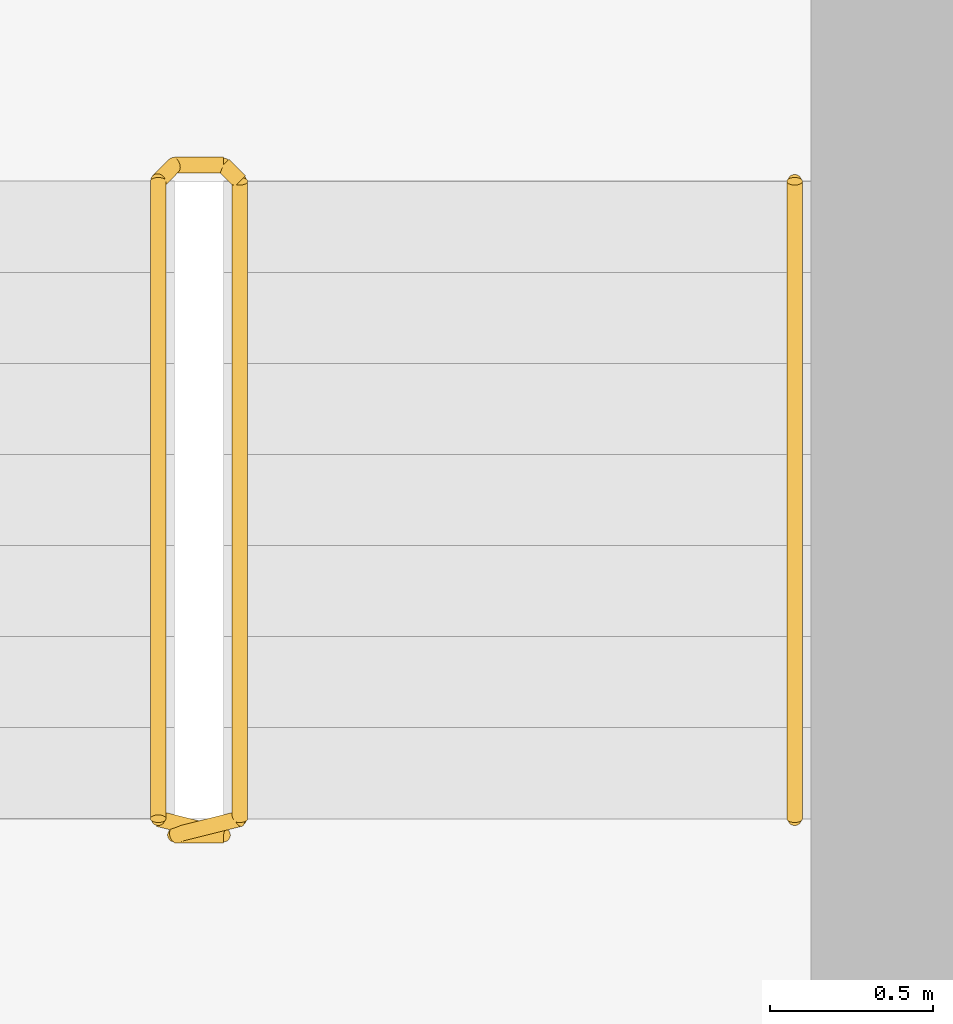
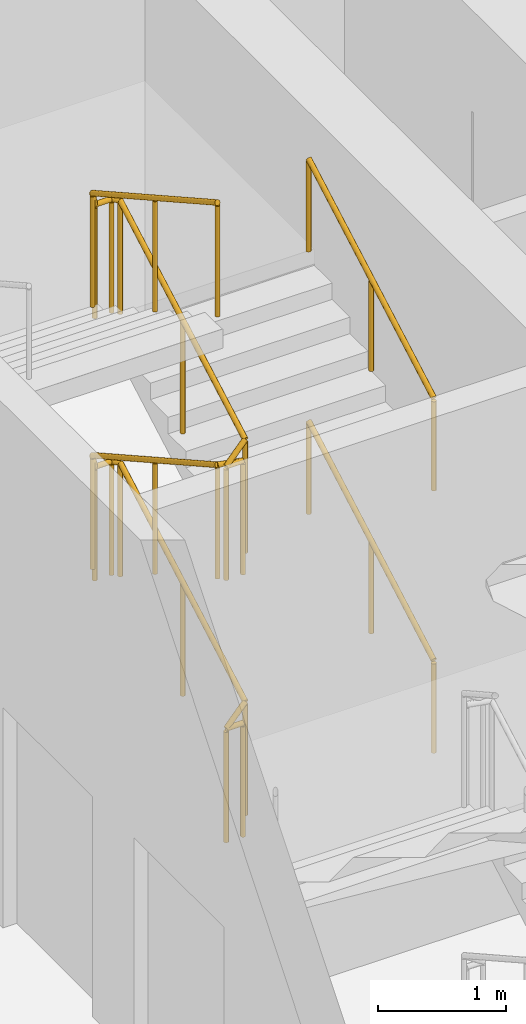
# One storey, part 23 of 23: 3 railings.
"""IFC4 building model written with IfcOpenShell, lengths in metres."""

from ifc_helpers import new_model, si_unit, direction, frame, origin, origin_2d, place, context, subcontext, project, spatial, circle, extrude, material, type_object, element, save


model = new_model("IFC4")

# Units and contexts
model_context = context("Model", 3, precision=1e-05, world=origin(), true_north=direction((0.0, 1.0)))
body_context = subcontext(model_context, "Body", "Model", "MODEL_VIEW")
ifc_project = project(units=[si_unit("LENGTHUNIT", "METRE"), si_unit("AREAUNIT", "SQUARE_METRE"), si_unit("VOLUMEUNIT", "CUBIC_METRE"), si_unit("PLANEANGLEUNIT", "RADIAN"), si_unit("MASSUNIT", "GRAM", prefix="KILO")], contexts=[model_context])

# Site, building, storey
site_placement = place(None, origin())
site = spatial("IfcSite", under=ifc_project, at=site_placement, CompositionType="ELEMENT")
building_placement = place(site_placement, origin())
building = spatial("IfcBuilding", under=site, at=building_placement, Name="Calabash Gate Tower", CompositionType="ELEMENT")
storey_placement = place(building_placement, frame((0.0, 0.0, 243.199951171875)))
storey = spatial("IfcBuildingStorey", under=building, at=storey_placement, Name="L58", CompositionType="ELEMENT", Elevation=243.199951171875)

# Railings
ifc_material_1 = material(Name="Black powder-coated steel balusters", Category="steel")
railing_type_1 = type_object("IfcRailingType", Name="Stair guard RL1100", PredefinedType="GUARDRAIL", material=ifc_material_1)
railing_placement = place(storey_placement, frame((10.300048828125, 13.902587890625, 0.0)))
element("IfcRailing", 1, at=railing_placement, inside=storey, type_object=railing_type_1, Name="L58 ST3 stair guard 1", PredefinedType="GUARDRAIL", context=body_context, shape_type="SweptSolid", body=[
    extrude(circle(Radius=0.02392578125, at=origin_2d()), frame((0.0, 0.0, 1.076171875), z_axis=(-1.0, 0.0, 0.0), x_axis=(0.0, -1.0, 0.0)), (0.0, 0.0, 1.0), 0.150146484375),
    extrude(circle(Radius=0.02392578125, at=origin_2d()), frame((-0.150146484375, 0.0, 1.076171875), z_axis=(0.773438643492, 0.193359660873, 0.603659429067), x_axis=(-0.242535625036, 0.970142500145, 0.0)), (0.0, 0.0, 1.0), 0.2587890625),
    extrude(circle(Radius=0.02392578125, at=origin_2d()), frame((0.050048828125, 0.050048828125, 1.232421875), z_axis=(0.0, 0.872479975208, 0.48864986735), x_axis=(-1.0, 0.0, 0.0)), (0.0, 0.0, 1.0), 2.23828125),
    extrude(circle(Radius=0.02392578125, at=origin_2d()), frame((0.050048828125, 2.0029296875, 2.326171875), z_axis=(-0.707106781187, 0.707106781187, 0.0), x_axis=(-0.707106781187, -0.707106781187, 0.0)), (0.0, 0.0, 1.0), 0.07080078125),
    extrude(circle(Radius=0.02392578125, at=origin_2d()), frame((0.0, 2.052978515625, 2.326171875), z_axis=(-1.0, 0.0, 0.0), x_axis=(0.0, -1.0, 0.0)), (0.0, 0.0, 1.0), 0.150146484375),
    extrude(circle(Radius=0.02392578125, at=origin_2d()), frame((-0.150146484375, 2.052978515625, 2.326171875), z_axis=(-0.290469530425, -0.291893400672, 0.911276958196), x_axis=(0.708833529934, -0.705375805398, 0.0)), (0.0, 0.0, 1.0), 0.17138671875),
    extrude(circle(Radius=0.02392578125, at=origin_2d()), frame((-0.199951171875, 2.0029296875, 2.482421875), z_axis=(0.0, -0.872479975208, 0.48864986735), x_axis=(1.0, 0.0, 0.0)), (0.0, 0.0, 1.0), 2.23828125),
    extrude(circle(Radius=0.02392578125, at=origin_2d()), frame((-0.199951171875, 0.050048828125, 3.576171875), z_axis=(0.970072785993, -0.242814311512, 0.0), x_axis=(0.242814311512, 0.970072785993, 0.0)), (0.0, 0.0, 1.0), 0.2060546875),
    extrude(circle(Radius=0.02392578125, at=origin_2d()), frame((0.0, 0.0, 3.576171875), z_axis=(-1.0, 0.0, 0.0), x_axis=(0.0, -1.0, 0.0)), (0.0, 0.0, 1.0), 0.150146484375),
    extrude(circle(Radius=0.02392578125, at=origin_2d()), frame((-0.150146484375, 0.0, 3.576171875), z_axis=(0.773438643492, 0.193359660873, 0.603659429067), x_axis=(-0.242535625036, 0.970142500145, 0.0)), (0.0, 0.0, 1.0), 0.2587890625),
    extrude(circle(Radius=0.02392578125, at=origin_2d()), frame((0.050048828125, 0.050048828125, 3.732421875), z_axis=(0.0, 0.872479975208, 0.48864986735), x_axis=(-1.0, 0.0, 0.0)), (0.0, 0.0, 1.0), 2.23828125),
    extrude(circle(Radius=0.02392578125, at=origin_2d()), frame((0.050048828125, 2.0029296875, 4.826171875), z_axis=(-0.707106781187, 0.707106781187, 0.0), x_axis=(-0.707106781187, -0.707106781187, 0.0)), (0.0, 0.0, 1.0), 0.07080078125),
    extrude(circle(Radius=0.02392578125, at=origin_2d()), frame((0.0, 2.052978515625, 4.826171875), z_axis=(-1.0, 0.0, 0.0), x_axis=(0.0, -1.0, 0.0)), (0.0, 0.0, 1.0), 0.150146484375),
    extrude(circle(Radius=0.02392578125, at=origin_2d()), frame((-0.150146484375, 2.052978515625, 4.826171875), z_axis=(-0.290469530425, -0.291893400672, 0.911276958196), x_axis=(0.708833529934, -0.705375805398, 0.0)), (0.0, 0.0, 1.0), 0.17138671875),
    extrude(circle(Radius=0.02392578125, at=origin_2d()), frame((-0.199951171875, 2.0029296875, 4.982421875), z_axis=(0.0, -0.872479975208, 0.48864986735), x_axis=(1.0, 0.0, 0.0)), (0.0, 0.0, 1.0), 2.23828125),
    extrude(circle(Radius=0.02099609375, at=origin_2d()), origin(), (0.0, 0.0, 1.0), 1.052001953125),
    extrude(circle(Radius=0.02099609375, at=origin_2d()), frame((-0.150146484375, 0.0, 0.0)), (0.0, 0.0, 1.0), 1.052001953125),
    extrude(circle(Radius=0.02099609375, at=origin_2d()), frame((0.050048828125, 0.050048828125, 0.15625)), (0.0, 0.0, 1.0), 1.052001953125),
    extrude(circle(Radius=0.02099609375, at=origin_2d()), frame((0.050048828125, 1.0263671875, 0.703125)), (0.0, 0.0, 1.0), 1.052001953125),
    extrude(circle(Radius=0.02099609375, at=origin_2d()), frame((0.050048828125, 2.0029296875, 1.25)), (0.0, 0.0, 1.0), 1.052001953125),
    extrude(circle(Radius=0.02099609375, at=origin_2d()), frame((0.0, 2.052978515625, 1.25)), (0.0, 0.0, 1.0), 1.052001953125),
    extrude(circle(Radius=0.02099609375, at=origin_2d()), frame((-0.150146484375, 2.052978515625, 1.25)), (0.0, 0.0, 1.0), 1.052001953125),
    extrude(circle(Radius=0.02099609375, at=origin_2d()), frame((-0.199951171875, 2.0029296875, 1.40625)), (0.0, 0.0, 1.0), 1.052001953125),
    extrude(circle(Radius=0.02099609375, at=origin_2d()), frame((-0.199951171875, 1.0263671875, 1.953125)), (0.0, 0.0, 1.0), 1.052001953125),
    extrude(circle(Radius=0.02099609375, at=origin_2d()), frame((-0.199951171875, 0.050048828125, 2.5)), (0.0, 0.0, 1.0), 1.052001953125),
    extrude(circle(Radius=0.02099609375, at=origin_2d()), frame((0.0, 0.0, 2.5)), (0.0, 0.0, 1.0), 1.052001953125),
    extrude(circle(Radius=0.02099609375, at=origin_2d()), frame((-0.150146484375, 0.0, 2.5)), (0.0, 0.0, 1.0), 1.052001953125),
    extrude(circle(Radius=0.02099609375, at=origin_2d()), frame((0.050048828125, 0.050048828125, 2.65625)), (0.0, 0.0, 1.0), 1.052001953125),
    extrude(circle(Radius=0.02099609375, at=origin_2d()), frame((0.050048828125, 1.0263671875, 3.203125)), (0.0, 0.0, 1.0), 1.052001953125),
    extrude(circle(Radius=0.02099609375, at=origin_2d()), frame((0.050048828125, 2.0029296875, 3.75)), (0.0, 0.0, 1.0), 1.052001953125),
    extrude(circle(Radius=0.02099609375, at=origin_2d()), frame((0.0, 2.052978515625, 3.75)), (0.0, 0.0, 1.0), 1.052001953125),
    extrude(circle(Radius=0.02099609375, at=origin_2d()), frame((-0.150146484375, 2.052978515625, 3.75)), (0.0, 0.0, 1.0), 1.052001953125),
    extrude(circle(Radius=0.02099609375, at=origin_2d()), frame((-0.199951171875, 2.0029296875, 3.90625)), (0.0, 0.0, 1.0), 1.052001953125),
    extrude(circle(Radius=0.02099609375, at=origin_2d()), frame((-0.199951171875, 1.0263671875, 4.453125)), (0.0, 0.0, 1.0), 1.052001953125),
    extrude(circle(Radius=0.02099609375, at=origin_2d()), frame((-0.199951171875, 0.050048828125, 5.0)), (0.0, 0.0, 1.0), 1.052001953125),
])
ifc_material_2 = material(Name="Black powder-coated steel tube 48 mm", Category="steel")
railing_type_2 = type_object("IfcRailingType", Name="Stair handrail RL900", PredefinedType="HANDRAIL", material=ifc_material_2)
for number, where, name in (
    (2, (12.050048828125, 13.95263671875, 0.15625), "L58 ST3 stair handrail 1"),
    (3, (12.050048828125, 13.95263671875, 2.65625), "L58 ST3 stair handrail 3"),
):
    element("IfcRailing", number, at=place(storey_placement, frame(where)), inside=storey, type_object=railing_type_2, Name=name, PredefinedType="HANDRAIL", context=body_context, shape_type="SweptSolid", body=[
        extrude(circle(Radius=0.02392578125, at=origin_2d()), frame((0.0, 0.0, 0.8759765625), z_axis=(0.0, 0.872479975208, 0.48864986735), x_axis=(-1.0, 0.0, 0.0)), (0.0, 0.0, 1.0), 2.23828125),
        extrude(circle(Radius=0.02099609375, at=origin_2d()), origin(), (0.0, 0.0, 1.0), 0.851806640625),
        extrude(circle(Radius=0.02099609375, at=origin_2d()), frame((0.0, 0.9765625, 0.546875)), (0.0, 0.0, 1.0), 0.851806640625),
        extrude(circle(Radius=0.02099609375, at=origin_2d()), frame((0.0, 1.952880859375, 1.09375)), (0.0, 0.0, 1.0), 0.851806640625),
    ])

save(model, "model.ifc")
